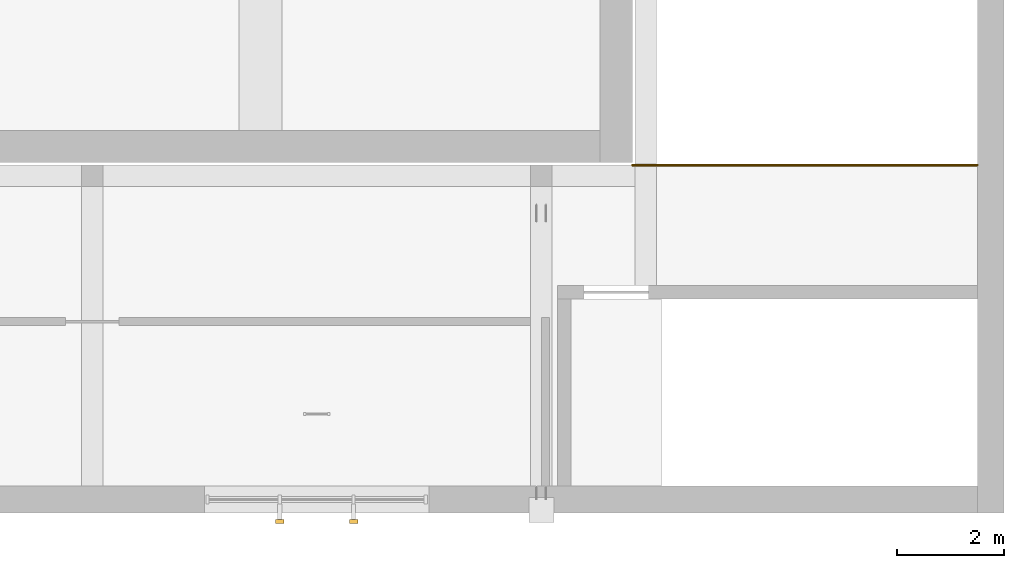
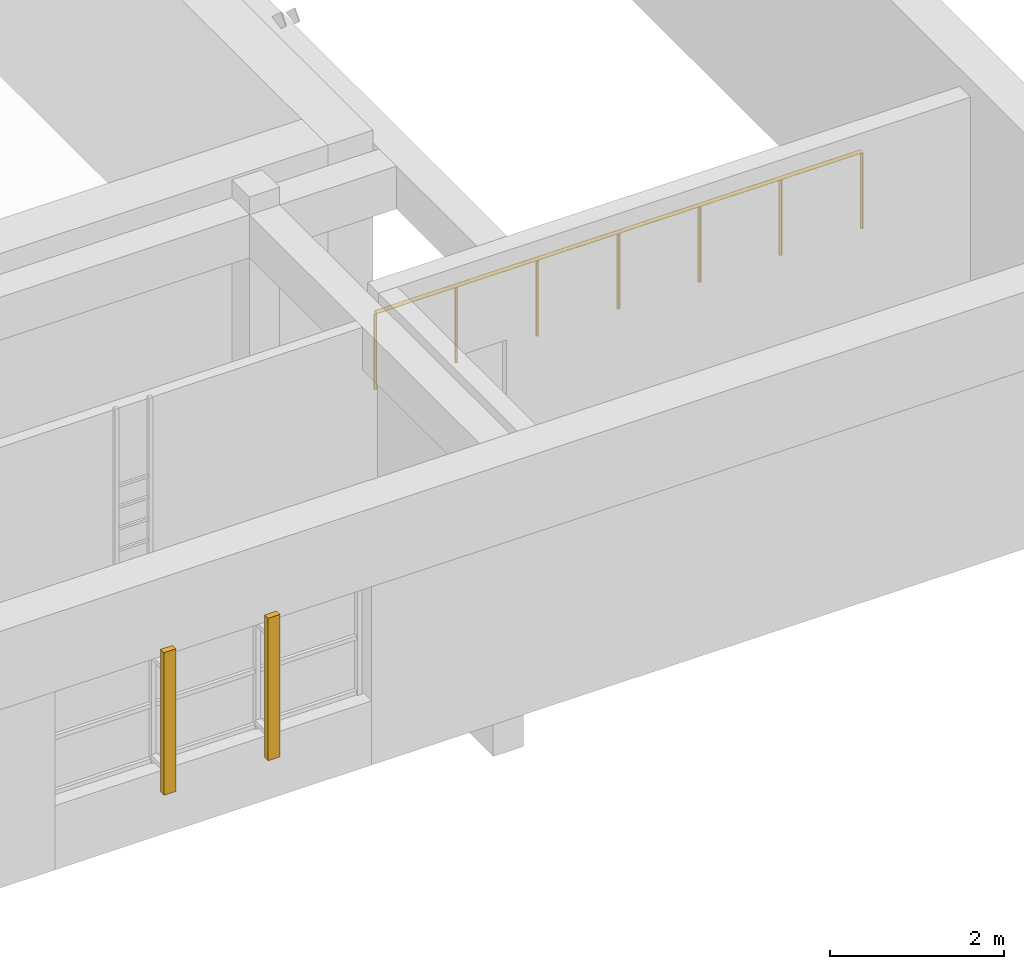
# One storey, part 26 of 28: 2 shading devices, 1 railing.
"""IFC4 building model written with IfcOpenShell, lengths in metres."""

import ifcopenshell
import ifcopenshell.guid

model = None  # the IFC model being written
_history = None  # IfcOwnerHistory: only IFC2X3 demands one
_inside = {}  # id of a spatial element -> (the spatial element, [elements in it])
_under = {}  # id of a project, library or spatial element -> (it, [spatial elements below it])
_declared = {}  # id of a project -> (the project, [libraries it declares])
_typed = {}  # id of a type object -> (the type object, [elements of that type])
_made_of = {}  # id of a material, layer set ... -> (it, [elements and type objects made of it])


def new_model(schema):
    """Start an empty IFC model of exactly this schema.

    Asked for "IFC4X3", IfcOpenShell would pick the latest addendum, in which some entities
    have other attributes; the version numbers below select the first issue.
    IFC2X3 requires an IfcOwnerHistory on every rooted entity: one is made here for all.
    """
    global model, _history
    if schema == "IFC4X3":
        model = ifcopenshell.file(schema_version=(4, 3, 0, 0))
    else:
        model = ifcopenshell.file(schema=schema)
    _inside.clear()
    _under.clear()
    _declared.clear()
    _typed.clear()
    _made_of.clear()
    _history = None
    if model.schema == "IFC2X3":
        org = make("IfcOrganization", Name="unknown")
        user = make(
            "IfcPersonAndOrganization",
            ThePerson=make("IfcPerson", FamilyName="unknown"),
            TheOrganization=org,
        )
        app = make(
            "IfcApplication",
            ApplicationDeveloper=org,
            Version="unknown",
            ApplicationFullName="unknown",
            ApplicationIdentifier="unknown",
        )
        _history = make(
            "IfcOwnerHistory",
            OwningUser=user,
            OwningApplication=app,
            ChangeAction="ADDED",
            CreationDate=0,
        )
    return model


def make(cls, **values):
    """One entity of the class cls with the attributes given. An attribute that is None is left unset."""
    return model.create_entity(
        cls, **{name: value for name, value in values.items() if value is not None}
    )


def rooted(cls, **values):
    """An entity with a GlobalId (a new one), such as an element, a storey or a relation."""
    return make(cls, GlobalId=ifcopenshell.guid.new(), OwnerHistory=_history, **values)


def si_unit(unit_type, name, prefix=None):
    """IfcSIUnit, for example si_unit("LENGTHUNIT", "METRE", prefix="MILLI")."""
    return make("IfcSIUnit", UnitType=unit_type, Prefix=prefix, Name=name)


def assignment(units):
    """IfcUnitAssignment: the units of a project."""
    return None if units is None else make("IfcUnitAssignment", Units=units)


def point(xyz):
    """IfcCartesianPoint."""
    return None if xyz is None else make("IfcCartesianPoint", Coordinates=xyz)


def direction(xyz):
    """IfcDirection."""
    return None if xyz is None else make("IfcDirection", DirectionRatios=xyz)


def frame(location, z_axis=None, x_axis=None):
    """IfcAxis2Placement3D, a coordinate frame: its origin and axes. An axis left out is left unset."""
    return make(
        "IfcAxis2Placement3D",
        Location=point(location),
        Axis=direction(z_axis),
        RefDirection=direction(x_axis),
    )


def frame_2d(location, x_axis=None):
    """IfcAxis2Placement2D, a coordinate frame in the plane: its origin and x axis."""
    return make(
        "IfcAxis2Placement2D", Location=point(location), RefDirection=direction(x_axis)
    )


def origin():
    """The frame at (0, 0, 0) with its axes left unset."""
    return frame((0.0, 0.0, 0.0))


def origin_2d():
    """The frame at (0, 0) in the plane with its x axis left unset."""
    return frame_2d((0.0, 0.0))


def place(relative_to, where):
    """IfcLocalPlacement: puts the frame where relative to a parent placement (None: the world)."""
    return make(
        "IfcLocalPlacement", PlacementRelTo=relative_to, RelativePlacement=where
    )


def context(
    kind, dimensions, precision=None, world=None, true_north=None, identifier=None
):
    """IfcGeometricRepresentationContext, for example the 3D "Model" context."""
    return make(
        "IfcGeometricRepresentationContext",
        ContextIdentifier=identifier,
        ContextType=kind,
        CoordinateSpaceDimension=dimensions,
        Precision=precision,
        WorldCoordinateSystem=world,
        TrueNorth=true_north,
    )


def subcontext(parent, identifier, kind, view, scale=None):
    """IfcGeometricRepresentationSubContext, for example "Body" below "Model"."""
    return make(
        "IfcGeometricRepresentationSubContext",
        ContextIdentifier=identifier,
        ContextType=kind,
        ParentContext=parent,
        TargetScale=scale,
        TargetView=view,
    )


def project(units=None, contexts=None):
    """IfcProject with its units and contexts."""
    return rooted(
        "IfcProject",
        Name="project",
        RepresentationContexts=contexts,
        UnitsInContext=assignment(units),
    )


def spatial(cls, under=None, at=None, **own):
    """A site, building, storey or space (cls), placed at a placement, below another one or the project."""
    s = rooted(cls, ObjectPlacement=at, **own)
    if under is not None:
        _under.setdefault(under.id(), (under, []))[1].append(s)
    return s


def profile(cls, at=None, kind="AREA", **sizes):
    """A parametric profile (cls). Its sizes go by their IFC names, for example OverallWidth=200.0."""
    return make(cls, ProfileType=kind, Position=at, **sizes)


def rectangle(**sizes):
    """IfcRectangleProfileDef."""
    return profile("IfcRectangleProfileDef", **sizes)


def circle(**sizes):
    """IfcCircleProfileDef."""
    return profile("IfcCircleProfileDef", **sizes)


def extrude(swept, where, along, depth):
    """IfcExtrudedAreaSolid: the profile swept, set in the frame where, extruded along a direction by depth."""
    return make(
        "IfcExtrudedAreaSolid",
        SweptArea=swept,
        Position=where,
        ExtrudedDirection=direction(along),
        Depth=depth,
    )


def shape(context_of_items, identifier, shape_type, items):
    """IfcShapeRepresentation: the items that make up one representation, for example the "Body"."""
    return make(
        "IfcShapeRepresentation",
        ContextOfItems=context_of_items,
        RepresentationIdentifier=identifier,
        RepresentationType=shape_type,
        Items=items,
    )


def material(Name=None, Category=None):
    """IfcMaterial."""
    return make("IfcMaterial", Name=Name, Category=Category)


def made_of(thing, what):
    """Note that an element or type object is made of a material, layer set ...; save() writes the relation."""
    if what is not None:
        _made_of.setdefault(what.id(), (what, []))[1].append(thing)
    return thing


def type_object(cls, material=None, **own):
    """A type object (cls), such as IfcWallType, which elements share."""
    return made_of(rooted(cls, **own), material)


def element(
    cls,
    number,
    at=None,
    inside=None,
    cuts=None,
    type_object=None,
    material=None,
    context=None,
    identifier="Body",
    shape_type=None,
    held_by="IfcProductDefinitionShape",
    body=None,
    shapes=None,
    **own,
):
    """One element of the class cls, such as IfcWall. Its Tag is "e" and its number.

    at: its placement. inside: the storey or other place that contains it. cuts: it is an
    opening in that element (IfcRelVoidsElement). A single representation is given by context,
    identifier, shape_type and body (its items); several are given by shapes. held_by: the class
    of the entity that holds the representations. save() writes the other relations.
    """
    e = rooted(cls, Tag="e%d" % number, ObjectPlacement=at, **own)
    if body is not None:
        shapes = [shape(context, identifier, shape_type, body)]
    if shapes is not None:
        e.Representation = make(held_by, Representations=shapes)
    if inside is not None:
        _inside.setdefault(inside.id(), (inside, []))[1].append(e)
    if cuts is not None:
        rooted(
            "IfcRelVoidsElement", RelatingBuildingElement=cuts, RelatedOpeningElement=e
        )
    if type_object is not None:
        _typed.setdefault(type_object.id(), (type_object, []))[1].append(e)
    return made_of(e, material)


def aggregate(whole, parts):
    """IfcRelAggregates: a whole, such as a stair, and the parts it consists of."""
    return rooted("IfcRelAggregates", RelatingObject=whole, RelatedObjects=parts)


def save(model, path):
    """Write the relations noted so far, then the file.

    IfcRelAggregates (storeys below a building ...), IfcRelContainedInSpatialStructure (elements
    in a storey), IfcRelDefinesByType, IfcRelAssociatesMaterial and IfcRelDeclares: one each for
    every whole, place, type object, material and project.
    """
    for whole, parts in _under.values():
        aggregate(whole, parts)
    for where, things in _inside.values():
        rooted(
            "IfcRelContainedInSpatialStructure",
            RelatedElements=things,
            RelatingStructure=where,
        )
    for kind, things in _typed.values():
        rooted("IfcRelDefinesByType", RelatedObjects=things, RelatingType=kind)
    for what, things in _made_of.values():
        rooted("IfcRelAssociatesMaterial", RelatedObjects=things, RelatingMaterial=what)
    for by, libraries in _declared.values():
        rooted("IfcRelDeclares", RelatingContext=by, RelatedDefinitions=libraries)
    model.write(path)


model = new_model("IFC4")

# Units and contexts
model_context = context("Model", 3, precision=1e-05, world=origin(), true_north=direction((0.0, 1.0)))
body_context = subcontext(model_context, "Body", "Model", "MODEL_VIEW")
ifc_project = project(units=[si_unit("LENGTHUNIT", "METRE"), si_unit("AREAUNIT", "SQUARE_METRE"), si_unit("VOLUMEUNIT", "CUBIC_METRE"), si_unit("PLANEANGLEUNIT", "RADIAN"), si_unit("MASSUNIT", "GRAM", prefix="KILO")], contexts=[model_context])

# Site, building, storey
site_placement = place(None, origin())
site = spatial("IfcSite", under=ifc_project, at=site_placement, CompositionType="ELEMENT")
building_placement = place(site_placement, origin())
building = spatial("IfcBuilding", under=site, at=building_placement, Name="Ljudholm Concert House", CompositionType="ELEMENT")
storey_placement = place(building_placement, frame((0.0, 0.0, 19.199951171875)))
storey = spatial("IfcBuildingStorey", under=building, at=storey_placement, Name="L04", CompositionType="ELEMENT", Elevation=19.199951171875)

# Shading devices
ifc_material_1 = material(Name="Aluminium extrusion with timber-grain PVDF finish", Category="aluminium")
shading_device_type = type_object("IfcShadingDeviceType", Name="FACADE FIN 80x160", PredefinedType="SHUTTER", material=ifc_material_1)
for number, where, z_axis, x_axis, name in (
    (1, (83.110107421875, 53.989990234375, 0.699951171875), (0.0, 0.0, 1.0), (0.0, -1.0, 0.0), "Facade fin"),
    (2, (84.489990234375, 53.989990234375, 0.699951171875), (0.0, 0.0, 1.0), (0.0, -1.0, 0.0), "Facade fin"),
):
    element("IfcShadingDevice", number, at=place(storey_placement, frame(where, z_axis=z_axis, x_axis=x_axis)), inside=storey, type_object=shading_device_type, Name=name, PredefinedType="SHUTTER", context=body_context, shape_type="SweptSolid", body=[
        extrude(rectangle(XDim=0.080078125, YDim=0.159912109375, at=origin_2d()), origin(), (0.0, 0.0, 1.0), 2.0),
    ])

# Railing
ifc_material_2 = material(Name="Steel ASTM A36", Category="steel")
railing_type = type_object("IfcRailingType", Name="GUARD 1100", PredefinedType="GUARDRAIL", material=ifc_material_2)
railing_placement = place(storey_placement, frame((96.14990234375, 60.64990234375, 0.0)))
element("IfcRailing", 3, at=railing_placement, inside=storey, type_object=railing_type, Name="Ring floor edge guard", PredefinedType="GUARDRAIL", context=body_context, shape_type="SweptSolid", body=[
    extrude(circle(Radius=0.02490234375, at=origin_2d()), frame((0.0, 0.0, 1.0751953125), z_axis=(-1.0, 0.0, 0.0), x_axis=(0.0, -1.0, 0.0)), (0.0, 0.0, 1.0), 6.449951171875),
    extrude(circle(Radius=0.02099609375, at=origin_2d()), origin(), (0.0, 0.0, 1.0), 1.050048828125),
    extrude(circle(Radius=0.02099609375, at=origin_2d()), frame((-1.074951171875, 0.0, 0.0)), (0.0, 0.0, 1.0), 1.050048828125),
    extrude(circle(Radius=0.02099609375, at=origin_2d()), frame((-2.14990234375, 0.0, 0.0)), (0.0, 0.0, 1.0), 1.050048828125),
    extrude(circle(Radius=0.02099609375, at=origin_2d()), frame((-3.22509765625, 0.0, 0.0)), (0.0, 0.0, 1.0), 1.050048828125),
    extrude(circle(Radius=0.02099609375, at=origin_2d()), frame((-4.300048828125, 0.0, 0.0)), (0.0, 0.0, 1.0), 1.050048828125),
    extrude(circle(Radius=0.02099609375, at=origin_2d()), frame((-5.375, 0.0, 0.0)), (0.0, 0.0, 1.0), 1.050048828125),
    extrude(circle(Radius=0.02099609375, at=origin_2d()), frame((-6.449951171875, 0.0, 0.0)), (0.0, 0.0, 1.0), 1.050048828125),
])

save(model, "model.ifc")
